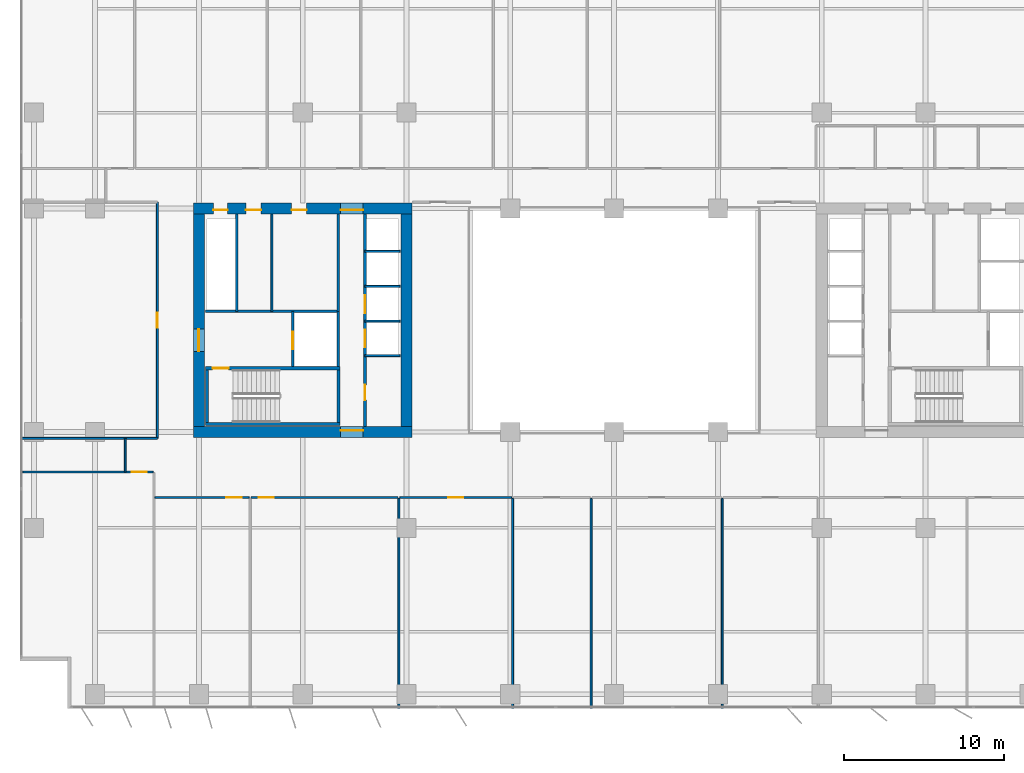
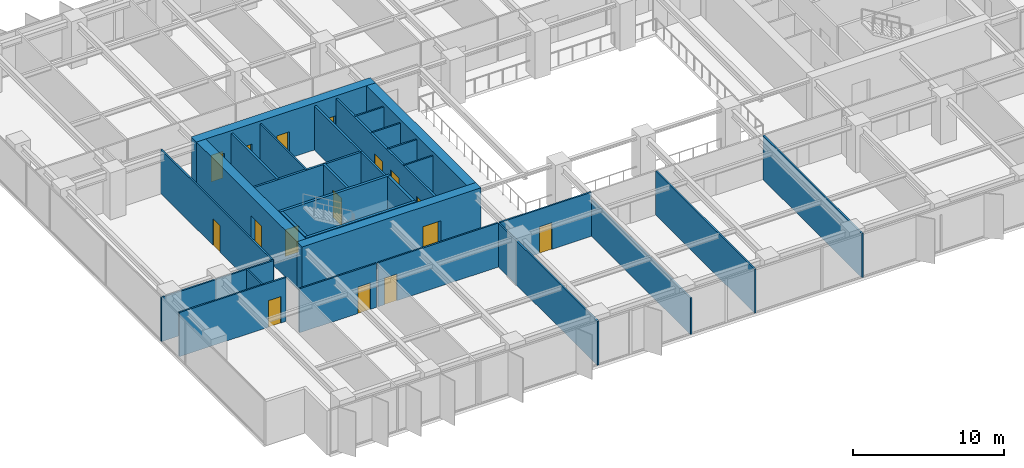
# One storey, part 13 of 20: 30 walls, 16 doors, 16 openings.
"""IFC4 building model written with IfcOpenShell, lengths in metres."""

from ifc_helpers import new_model, si_unit, direction, frame, frame_2d, origin, place, context, subcontext, project, spatial, rectangle, extrude, material, layer, layer_set, type_object, element, fill, save


model = new_model("IFC4")

# Units and contexts
model_context = context("Model", 3, precision=1e-05, world=origin(), true_north=direction((0.0, 1.0)))
body_context = subcontext(model_context, "Body", "Model", "MODEL_VIEW")
ifc_project = project(units=[si_unit("LENGTHUNIT", "METRE"), si_unit("AREAUNIT", "SQUARE_METRE"), si_unit("VOLUMEUNIT", "CUBIC_METRE"), si_unit("PLANEANGLEUNIT", "RADIAN"), si_unit("MASSUNIT", "GRAM", prefix="KILO")], contexts=[model_context])

# Site, building, storey
site_placement = place(None, origin())
site = spatial("IfcSite", under=ifc_project, at=site_placement, CompositionType="ELEMENT")
building_placement = place(site_placement, origin())
building = spatial("IfcBuilding", under=site, at=building_placement, Name="Putna Gate Headquarters", CompositionType="ELEMENT")
storey_placement = place(building_placement, frame((0.0, 0.0, 131.60009765625)))
storey = spatial("IfcBuildingStorey", under=building, at=storey_placement, Name="L32", CompositionType="ELEMENT", Elevation=131.60009765625)

# Wall, opening, door
ifc_material_1 = material(Name="Concrete C60/75", Category="concrete")
ifc_layer_1 = layer(ifc_material_1, 0.699951171875)
ifc_layer_set_1 = layer_set([ifc_layer_1], Name="Concrete C60/75")
wall_type_1 = type_object("IfcWallType", Name="WALL-CORE-700", PredefinedType="SHEAR", material=ifc_layer_set_1)
wall_1_placement = place(storey_placement, frame((12.64990234375, 19.0, 0.0), z_axis=(0.0, 0.0, 1.0), x_axis=(1.0, 0.0, 0.0)))
wall_1 = element("IfcWall", 1, at=wall_1_placement, inside=storey, type_object=wall_type_1, Name="L32 WC Split Core Shear Wall S", PredefinedType="SHEAR", context=body_context, shape_type="SweptSolid", body=[
    extrude(rectangle(XDim=13.7001953125, YDim=0.699951171875, at=frame_2d((6.85009765625, 0.0))), origin(), (0.0, 0.0, 1.0), 3.7998046875),
])
opening_1_placement = place(wall_1_placement, frame((9.22998046875, 0.0, 0.0)))
opening_1 = element("IfcOpeningElement", 2, at=opening_1_placement, cuts=wall_1, Name="Opening FDD-140", PredefinedType="OPENING", context=body_context, shape_type="SweptSolid", body=[
    extrude(rectangle(XDim=1.39990234375, YDim=2.199951171875, at=frame_2d((0.699951171875, 1.10009765625))), frame((0.0, 0.35986328125, 0.0), z_axis=(0.0, -1.0, 0.0), x_axis=(1.0, 0.0, 0.0)), (0.0, 0.0, 1.0), 0.719970703125),
])
ifc_material_2 = material(Name="Double steel fire door", Category="steel")
door_type_1 = type_object("IfcDoorType", Name="DOOR-FIRE-DBL-1400", OperationType="DOUBLE_DOOR_SINGLE_SWING", PredefinedType="DOOR", material=ifc_material_2)
door_1_placement = place(opening_1_placement, origin())
door_1 = element("IfcDoor", 3, at=door_1_placement, inside=storey, type_object=door_type_1, Name="L32 West Lift Lobby South Door", OperationType="DOUBLE_DOOR_SINGLE_SWING", OverallHeight=2.199951171875, OverallWidth=1.39990234375, PredefinedType="DOOR", context=body_context, shape_type="SweptSolid", body=[
    extrude(rectangle(XDim=1.39990234375, YDim=2.199951171875, at=frame_2d((0.699951171875, 1.10009765625))), frame((0.0, 0.125, 0.0), z_axis=(0.0, -1.0, 0.0), x_axis=(1.0, 0.0, 0.0)), (0.0, 0.0, 1.0), 0.050048828125),
])
fill(opening_1, door_1)

# Wall, openings, doors
wall_2_placement = place(storey_placement, frame((12.64990234375, 33.0, 0.0), z_axis=(0.0, 0.0, 1.0), x_axis=(1.0, 0.0, 0.0)))
wall_2 = element("IfcWall", 4, at=wall_2_placement, inside=storey, type_object=wall_type_1, Name="L32 WC Split Core Shear Wall N", PredefinedType="SHEAR", context=body_context, shape_type="SweptSolid", body=[
    extrude(rectangle(XDim=13.7001953125, YDim=0.699951171875, at=frame_2d((6.85009765625, 0.0))), origin(), (0.0, 0.0, 1.0), 3.7998046875),
])
opening_2_placement = place(wall_2_placement, frame((1.25, 0.0, 0.0)))
opening_2 = element("IfcOpeningElement", 5, at=opening_2_placement, cuts=wall_2, Name="Opening RD-90", PredefinedType="OPENING", context=body_context, shape_type="SweptSolid", body=[
    extrude(rectangle(XDim=0.89990234375, YDim=2.14990234375, at=frame_2d((0.449951171875, 1.074951171875))), frame((0.0, 0.35986328125, 0.0), z_axis=(0.0, -1.0, 0.0), x_axis=(1.0, 0.0, 0.0)), (0.0, 0.0, 1.0), 0.719970703125),
])
opening_3_placement = place(wall_2_placement, frame((3.300048828125, 0.0, 0.0)))
opening_3 = element("IfcOpeningElement", 6, at=opening_3_placement, cuts=wall_2, Name="Opening IDS-95", PredefinedType="OPENING", context=body_context, shape_type="SweptSolid", body=[
    extrude(rectangle(XDim=0.949951171875, YDim=2.14990234375, at=frame_2d((0.47509765625, 1.074951171875))), frame((0.0, 0.35986328125, 0.0), z_axis=(0.0, -1.0, 0.0), x_axis=(1.0, 0.0, 0.0)), (0.0, 0.0, 1.0), 0.719970703125),
])
opening_4_placement = place(wall_2_placement, frame((6.14990234375, 0.0, 0.0)))
opening_4 = element("IfcOpeningElement", 7, at=opening_4_placement, cuts=wall_2, Name="Opening IDS-95", PredefinedType="OPENING", context=body_context, shape_type="SweptSolid", body=[
    extrude(rectangle(XDim=0.949951171875, YDim=2.14990234375, at=frame_2d((0.47509765625, 1.074951171875))), frame((0.0, 0.35986328125, 0.0), z_axis=(0.0, -1.0, 0.0), x_axis=(1.0, 0.0, 0.0)), (0.0, 0.0, 1.0), 0.719970703125),
])
opening_5_placement = place(wall_2_placement, frame((9.22998046875, 0.0, 0.0)))
opening_5 = element("IfcOpeningElement", 8, at=opening_5_placement, cuts=wall_2, Name="Opening FDD-140", PredefinedType="OPENING", context=body_context, shape_type="SweptSolid", body=[
    extrude(rectangle(XDim=1.39990234375, YDim=2.199951171875, at=frame_2d((0.699951171875, 1.10009765625))), frame((0.0, 0.35986328125, 0.0), z_axis=(0.0, -1.0, 0.0), x_axis=(1.0, 0.0, 0.0)), (0.0, 0.0, 1.0), 0.719970703125),
])
door_2_placement = place(opening_5_placement, origin())
door_2 = element("IfcDoor", 9, at=door_2_placement, inside=storey, type_object=door_type_1, Name="L32 West Lift Lobby North Door", OperationType="DOUBLE_DOOR_SINGLE_SWING", OverallHeight=2.199951171875, OverallWidth=1.39990234375, PredefinedType="DOOR", context=body_context, shape_type="SweptSolid", body=[
    extrude(rectangle(XDim=1.39990234375, YDim=2.199951171875, at=frame_2d((0.699951171875, 1.10009765625))), frame((0.0, -0.0751953125, 0.0), z_axis=(0.0, -1.0, 0.0), x_axis=(1.0, 0.0, 0.0)), (0.0, 0.0, 1.0), 0.050048828125),
])
fill(opening_5, door_2)
ifc_material_3 = material(Name="Fire-rated service timber door", Category="wood")
door_type_2 = type_object("IfcDoorType", Name="DOOR-INT-950", OperationType="NOTDEFINED", PredefinedType="DOOR", material=ifc_material_3)
door_3_placement = place(opening_3_placement, origin())
door_3 = element("IfcDoor", 10, at=door_3_placement, inside=storey, type_object=door_type_2, Name="L32 Archive Store Door", OperationType="SINGLE_SWING_LEFT", OverallHeight=2.14990234375, OverallWidth=0.949951171875, PredefinedType="DOOR", context=body_context, shape_type="SweptSolid", body=[
    extrude(rectangle(XDim=0.949951171875, YDim=2.14990234375, at=frame_2d((0.47509765625, 1.074951171875))), frame((0.0, -0.0751953125, 0.0), z_axis=(0.0, -1.0, 0.0), x_axis=(1.0, 0.0, 0.0)), (0.0, 0.0, 1.0), 0.050048828125),
])
fill(opening_3, door_3)
door_4_placement = place(opening_4_placement, origin())
door_4 = element("IfcDoor", 11, at=door_4_placement, inside=storey, type_object=door_type_2, Name="L32 Switchgear Plant Door", OperationType="SINGLE_SWING_RIGHT", OverallHeight=2.14990234375, OverallWidth=0.949951171875, PredefinedType="DOOR", context=body_context, shape_type="SweptSolid", body=[
    extrude(rectangle(XDim=0.949951171875, YDim=2.14990234375, at=frame_2d((0.47509765625, 1.074951171875))), frame((0.0, -0.0751953125, 0.0), z_axis=(0.0, -1.0, 0.0), x_axis=(1.0, 0.0, 0.0)), (0.0, 0.0, 1.0), 0.050048828125),
])
fill(opening_4, door_4)
ifc_material_4 = material(Name="Steel riser access fire door", Category="steel")
door_type_3 = type_object("IfcDoorType", Name="DOOR-RISER-900", OperationType="NOTDEFINED", PredefinedType="DOOR", material=ifc_material_4)
door_5_placement = place(opening_2_placement, origin())
door_5 = element("IfcDoor", 12, at=door_5_placement, inside=storey, type_object=door_type_3, Name="L32 West Riser Access Door", OperationType="SINGLE_SWING_RIGHT", OverallHeight=2.14990234375, OverallWidth=0.89990234375, PredefinedType="DOOR", context=body_context, shape_type="SweptSolid", body=[
    extrude(rectangle(XDim=0.89990234375, YDim=2.14990234375, at=frame_2d((0.449951171875, 1.074951171875))), frame((0.0, -0.0751953125, 0.0), z_axis=(0.0, -1.0, 0.0), x_axis=(1.0, 0.0, 0.0)), (0.0, 0.0, 1.0), 0.050048828125),
])
fill(opening_2, door_5)

# Wall, opening, door
wall_3_placement = place(storey_placement, frame((13.0, 19.35009765625, 0.0), z_axis=(0.0, 0.0, 1.0), x_axis=(0.0, 1.0, 0.0)))
wall_3 = element("IfcWall", 13, at=wall_3_placement, inside=storey, type_object=wall_type_1, Name="L32 WC Split Core Shear Wall W", PredefinedType="SHEAR", context=body_context, shape_type="SweptSolid", body=[
    extrude(rectangle(XDim=13.2998046875, YDim=0.699951171875, at=frame_2d((6.64990234375, 0.0))), origin(), (0.0, 0.0, 1.0), 3.7998046875),
])
opening_6_placement = place(wall_3_placement, frame((4.699951171875, 0.0, 0.0)))
opening_6 = element("IfcOpeningElement", 14, at=opening_6_placement, cuts=wall_3, Name="Opening FDD-140", PredefinedType="OPENING", context=body_context, shape_type="SweptSolid", body=[
    extrude(rectangle(XDim=1.39990234375, YDim=2.199951171875, at=frame_2d((0.699951171875, 1.10009765625))), frame((0.0, 0.35986328125, 0.0), z_axis=(0.0, -1.0, 0.0), x_axis=(1.0, 0.0, 0.0)), (0.0, 0.0, 1.0), 0.719970703125),
])
door_6_placement = place(opening_6_placement, origin())
door_6 = element("IfcDoor", 15, at=door_6_placement, inside=storey, type_object=door_type_1, Name="L32 West Firefighting Lobby Door", OperationType="DOUBLE_DOOR_SINGLE_SWING", OverallHeight=2.199951171875, OverallWidth=1.39990234375, PredefinedType="DOOR", context=body_context, shape_type="SweptSolid", body=[
    extrude(rectangle(XDim=1.39990234375, YDim=2.199951171875, at=frame_2d((0.699951171875, 1.10009765625))), frame((0.0, 0.02490234375, 0.0), z_axis=(0.0, -1.0, 0.0), x_axis=(1.0, 0.0, 0.0)), (0.0, 0.0, 1.0), 0.050048828125),
])
fill(opening_6, door_6)

# Walls
wall_4_placement = place(storey_placement, frame((26.0, 19.35009765625, 0.0), z_axis=(0.0, 0.0, 1.0), x_axis=(0.0, 1.0, 0.0)))
element("IfcWall", 16, at=wall_4_placement, inside=storey, type_object=wall_type_1, Name="L32 WC Split Core Shear Wall E", PredefinedType="SHEAR", context=body_context, shape_type="SweptSolid", body=[
    extrude(rectangle(XDim=13.2998046875, YDim=0.699951171875, at=frame_2d((6.64990234375, 0.0))), origin(), (0.0, 0.0, 1.0), 3.7998046875),
])
ifc_material_5 = material(Name="Acoustic gypsum board on metal stud")
ifc_layer_2 = layer(ifc_material_5, 0.1201171875)
ifc_layer_set_2 = layer_set([ifc_layer_2], Name="Acoustic gypsum board on metal stud")
wall_type_2 = type_object("IfcWallType", Name="WALL-PART-120", PredefinedType="PARTITIONING", material=ifc_layer_set_2)
wall_5_placement = place(storey_placement, frame((25.524658203125, 1.719970703125, 0.0), z_axis=(0.0, 0.0, 1.0), x_axis=(0.0, 1.0, 0.0)))
element("IfcWall", 17, at=wall_5_placement, inside=storey, type_object=wall_type_2, Name="L32 Interior Wall PART-L32-SB-DIV-03", PredefinedType="PARTITIONING", context=body_context, shape_type="SweptSolid", body=[
    extrude(rectangle(XDim=13.1201171875, YDim=0.1201171875, at=frame_2d((6.56005859375, 0.0))), origin(), (0.0, 0.0, 1.0), 3.56494140625),
])
wall_6_placement = place(storey_placement, frame((32.639892578125, 1.719970703125, 0.0), z_axis=(0.0, 0.0, 1.0), x_axis=(0.0, 1.0, 0.0)))
element("IfcWall", 18, at=wall_6_placement, inside=storey, type_object=wall_type_2, Name="L32 Interior Wall PART-L32-SB-DIV-04", PredefinedType="PARTITIONING", context=body_context, shape_type="SweptSolid", body=[
    extrude(rectangle(XDim=13.1201171875, YDim=0.1201171875, at=frame_2d((6.56005859375, 0.0))), origin(), (0.0, 0.0, 1.0), 2.96484375),
])
for number, where, z_axis, x_axis, name in (
    (19, (37.55615234375, 1.719970703125, 0.0), (0.0, 0.0, 1.0), (0.0, 1.0, 0.0), "L32 Interior Wall PART-L32-SB-DIV-05"),
    (20, (45.767333984375, 1.719970703125, 0.0), (0.0, 0.0, 1.0), (0.0, 1.0, 0.0), "L32 Interior Wall PART-L32-SB-DIV-06"),
):
    element("IfcWall", number, at=place(storey_placement, frame(where, z_axis=z_axis, x_axis=x_axis)), inside=storey, type_object=wall_type_2, Name=name, PredefinedType="PARTITIONING", context=body_context, shape_type="SweptSolid", body=[
        extrude(rectangle(XDim=13.1201171875, YDim=0.1201171875, at=frame_2d((6.56005859375, 0.0))), origin(), (0.0, 0.0, 1.0), 3.56494140625),
    ])
ifc_material_6 = material(Name="Fire-rated shaftwall gypsum board on metal stud")
ifc_layer_3 = layer(ifc_material_6, 0.1201171875)
ifc_layer_set_3 = layer_set([ifc_layer_3], Name="Fire-rated shaftwall gypsum board on metal stud")
wall_type_3 = type_object("IfcWallType", Name="WALL-PART-120-EI120", PredefinedType="PARTITIONING", material=ifc_layer_set_3)
for number, where, z_axis, x_axis, name in (
    (21, (23.39990234375, 25.949951171875, 0.0), (0.0, 0.0, 1.0), (1.0, 0.0, 0.0), "L32 Interior Wall CWINT-L32-WC-LF05-DIV"),
    (22, (23.39990234375, 28.1201171875, 0.0), (0.0, 0.0, 1.0), (1.0, 0.0, 0.0), "L32 Interior Wall CWINT-L32-WC-LF06-DIV"),
    (23, (23.39990234375, 30.31005859375, 0.0), (0.0, 0.0, 1.0), (1.0, 0.0, 0.0), "L32 Interior Wall CWINT-L32-WC-LF09-DIV"),
):
    element("IfcWall", number, at=place(storey_placement, frame(where, z_axis=z_axis, x_axis=x_axis)), inside=storey, type_object=wall_type_3, Name=name, PredefinedType="PARTITIONING", context=body_context, shape_type="SweptSolid", body=[
        extrude(rectangle(XDim=2.2001953125, YDim=0.1201171875, at=frame_2d((1.10009765625, 0.0))), origin(), (0.0, 0.0, 1.0), 3.56494140625),
    ])
ifc_material_7 = material(Name="Fire-rated gypsum board on metal stud")
ifc_layer_4 = layer(ifc_material_7, 0.1201171875)
ifc_layer_set_4 = layer_set([ifc_layer_4], Name="Fire-rated gypsum board on metal stud")
wall_type_4 = type_object("IfcWallType", Name="WALL-PART-120-RATED", PredefinedType="PARTITIONING", material=ifc_layer_set_4)
wall_7_placement = place(storey_placement, frame((17.570068359375, 26.56005859375, 0.0), z_axis=(0.0, 0.0, 1.0), x_axis=(0.0, 1.0, 0.0)))
element("IfcWall", 24, at=wall_7_placement, inside=storey, type_object=wall_type_4, Name="L32 Interior Wall CWINT-L32-WC-K1-DIV", PredefinedType="PARTITIONING", context=body_context, shape_type="SweptSolid", body=[
    extrude(rectangle(XDim=6.08984375, YDim=0.1201171875, at=frame_2d((3.044921875, 0.0))), origin(), (0.0, 0.0, 1.0), 3.56494140625),
])
wall_8_placement = place(storey_placement, frame((23.39990234375, 23.780029296875, 0.0), z_axis=(0.0, 0.0, 1.0), x_axis=(1.0, 0.0, 0.0)))
element("IfcWall", 25, at=wall_8_placement, inside=storey, type_object=wall_type_4, Name="L32 Interior Wall CWINT-L32-WC-LF02-DIV", PredefinedType="PARTITIONING", context=body_context, shape_type="SweptSolid", body=[
    extrude(rectangle(XDim=2.2001953125, YDim=0.1201171875, at=frame_2d((1.10009765625, 0.0))), origin(), (0.0, 0.0, 1.0), 3.56494140625),
])
wall_9_placement = place(storey_placement, frame((8.39111328125, 16.5, 0.0), z_axis=(0.0, 0.0, 1.0), x_axis=(0.0, 1.0, 0.0)))
element("IfcWall", 26, at=wall_9_placement, inside=storey, type_object=wall_type_4, Name="L32 Interior Wall PART-L32-CORRS-CAPW", PredefinedType="PARTITIONING", context=body_context, shape_type="SweptSolid", body=[
    extrude(rectangle(XDim=2.10009765625, YDim=0.1201171875, at=frame_2d((1.050048828125, 0.0))), origin(), (0.0, 0.0, 1.0), 3.56494140625),
])

# Wall, opening, door
wall_10_placement = place(storey_placement, frame((1.97998046875, 16.5, 0.0), z_axis=(0.0, 0.0, 1.0), x_axis=(1.0, 0.0, 0.0)))
wall_10 = element("IfcWall", 27, at=wall_10_placement, inside=storey, type_object=wall_type_4, Name="L32 Interior Wall PART-L32-SB-CW-01", PredefinedType="PARTITIONING", context=body_context, shape_type="SweptSolid", body=[
    extrude(rectangle(XDim=8.151123046875, YDim=0.1201171875, at=frame_2d((4.07568359375, 0.0))), origin(), (0.0, 0.0, 1.0), 3.56494140625),
])
opening_7_placement = place(wall_10_placement, frame((6.805908203125, 0.0, 0.0)))
opening_7 = element("IfcOpeningElement", 28, at=opening_7_placement, cuts=wall_10, Name="Opening FD-95", PredefinedType="OPENING", context=body_context, shape_type="SweptSolid", body=[
    extrude(rectangle(XDim=0.949951171875, YDim=2.14990234375, at=frame_2d((0.47509765625, 1.074951171875))), frame((0.0, 0.070068359375, 0.0), z_axis=(0.0, -1.0, 0.0), x_axis=(1.0, 0.0, 0.0)), (0.0, 0.0, 1.0), 0.14013671875),
])
ifc_material_8 = material(Name="Acoustic timber fire door", Category="wood")
door_type_4 = type_object("IfcDoorType", Name="DOOR-FIRE-950", OperationType="NOTDEFINED", PredefinedType="DOOR", material=ifc_material_8)
door_7_placement = place(opening_7_placement, origin())
door_7 = element("IfcDoor", 29, at=door_7_placement, inside=storey, type_object=door_type_4, Name="L32 Collaborative Breakout Lounge 2 Door", OperationType="SINGLE_SWING_LEFT", OverallHeight=2.14990234375, OverallWidth=0.949951171875, PredefinedType="DOOR", context=body_context, shape_type="SweptSolid", body=[
    extrude(rectangle(XDim=0.949951171875, YDim=2.14990234375, at=frame_2d((0.47509765625, 1.074951171875))), frame((0.0, 0.02490234375, 0.0), z_axis=(0.0, -1.0, 0.0), x_axis=(1.0, 0.0, 0.0)), (0.0, 0.0, 1.0), 0.050048828125),
])
fill(opening_7, door_7)

wall_11_placement = place(storey_placement, frame((10.2509765625, 14.89990234375, 0.0), z_axis=(0.0, 0.0, 1.0), x_axis=(1.0, 0.0, 0.0)))
wall_11 = element("IfcWall", 30, at=wall_11_placement, inside=storey, type_object=wall_type_4, Name="L32 Interior Wall PART-L32-SB-CW-02", PredefinedType="PARTITIONING", context=body_context, shape_type="SweptSolid", body=[
    extrude(rectangle(XDim=5.8994140625, YDim=0.1201171875, at=frame_2d((2.94970703125, 0.0))), origin(), (0.0, 0.0, 1.0), 3.56494140625),
])
opening_8_placement = place(wall_11_placement, frame((4.469482421875, 0.0, 0.0)))
opening_8 = element("IfcOpeningElement", 31, at=opening_8_placement, cuts=wall_11, Name="Opening FD-95", PredefinedType="OPENING", context=body_context, shape_type="SweptSolid", body=[
    extrude(rectangle(XDim=0.949951171875, YDim=2.14990234375, at=frame_2d((0.47509765625, 1.074951171875))), frame((0.0, 0.070068359375, 0.0), z_axis=(0.0, -1.0, 0.0), x_axis=(1.0, 0.0, 0.0)), (0.0, 0.0, 1.0), 0.14013671875),
])
door_8_placement = place(opening_8_placement, origin())
door_8 = element("IfcDoor", 32, at=door_8_placement, inside=storey, type_object=door_type_4, Name="L32 Cellular Office 3 Door", OperationType="SINGLE_SWING_RIGHT", OverallHeight=2.14990234375, OverallWidth=0.949951171875, PredefinedType="DOOR", context=body_context, shape_type="SweptSolid", body=[
    extrude(rectangle(XDim=0.949951171875, YDim=2.14990234375, at=frame_2d((0.47509765625, 1.074951171875))), frame((0.0, 0.02490234375, 0.0), z_axis=(0.0, -1.0, 0.0), x_axis=(1.0, 0.0, 0.0)), (0.0, 0.0, 1.0), 0.050048828125),
])
fill(opening_8, door_8)

wall_12_placement = place(storey_placement, frame((16.2705078125, 14.89990234375, 0.0), z_axis=(0.0, 0.0, 1.0), x_axis=(1.0, 0.0, 0.0)))
wall_12 = element("IfcWall", 33, at=wall_12_placement, inside=storey, type_object=wall_type_4, Name="L32 Interior Wall PART-L32-SB-CW-03", PredefinedType="PARTITIONING", context=body_context, shape_type="SweptSolid", body=[
    extrude(rectangle(XDim=9.194091796875, YDim=0.1201171875, at=frame_2d((4.59716796875, 0.0))), origin(), (0.0, 0.0, 1.0), 3.56494140625),
])
opening_9_placement = place(wall_12_placement, frame((0.47998046875, 0.0, 0.0)))
opening_9 = element("IfcOpeningElement", 34, at=opening_9_placement, cuts=wall_12, Name="Opening FD-95", PredefinedType="OPENING", context=body_context, shape_type="SweptSolid", body=[
    extrude(rectangle(XDim=0.949951171875, YDim=2.14990234375, at=frame_2d((0.47509765625, 1.074951171875))), frame((0.0, 0.070068359375, 0.0), z_axis=(0.0, -1.0, 0.0), x_axis=(1.0, 0.0, 0.0)), (0.0, 0.0, 1.0), 0.14013671875),
])
door_9_placement = place(opening_9_placement, origin())
door_9 = element("IfcDoor", 35, at=door_9_placement, inside=storey, type_object=door_type_4, Name="L32 Cellular Office 4 Door", OperationType="SINGLE_SWING_LEFT", OverallHeight=2.14990234375, OverallWidth=0.949951171875, PredefinedType="DOOR", context=body_context, shape_type="SweptSolid", body=[
    extrude(rectangle(XDim=0.949951171875, YDim=2.14990234375, at=frame_2d((0.47509765625, 1.074951171875))), frame((0.0, 0.02490234375, 0.0), z_axis=(0.0, -1.0, 0.0), x_axis=(1.0, 0.0, 0.0)), (0.0, 0.0, 1.0), 0.050048828125),
])
fill(opening_9, door_9)

wall_13_placement = place(storey_placement, frame((25.584716796875, 14.89990234375, 0.0), z_axis=(0.0, 0.0, 1.0), x_axis=(1.0, 0.0, 0.0)))
wall_13 = element("IfcWall", 36, at=wall_13_placement, inside=storey, type_object=wall_type_4, Name="L32 Interior Wall PART-L32-SB-CW-04", PredefinedType="PARTITIONING", context=body_context, shape_type="SweptSolid", body=[
    extrude(rectangle(XDim=6.995361328125, YDim=0.1201171875, at=frame_2d((3.49755859375, 0.0))), origin(), (0.0, 0.0, 1.0), 3.56494140625),
])
opening_10_placement = place(wall_13_placement, frame((3.022705078125, 0.0, 0.0)))
opening_10 = element("IfcOpeningElement", 37, at=opening_10_placement, cuts=wall_13, Name="Opening FD-95", PredefinedType="OPENING", context=body_context, shape_type="SweptSolid", body=[
    extrude(rectangle(XDim=0.949951171875, YDim=2.14990234375, at=frame_2d((0.47509765625, 1.074951171875))), frame((0.0, 0.070068359375, 0.0), z_axis=(0.0, -1.0, 0.0), x_axis=(1.0, 0.0, 0.0)), (0.0, 0.0, 1.0), 0.14013671875),
])
door_10_placement = place(opening_10_placement, origin())
door_10 = element("IfcDoor", 38, at=door_10_placement, inside=storey, type_object=door_type_4, Name="L32 Conference Meeting Room 1 Door", OperationType="SINGLE_SWING_RIGHT", OverallHeight=2.14990234375, OverallWidth=0.949951171875, PredefinedType="DOOR", context=body_context, shape_type="SweptSolid", body=[
    extrude(rectangle(XDim=0.949951171875, YDim=2.14990234375, at=frame_2d((0.47509765625, 1.074951171875))), frame((0.0, 0.02490234375, 0.0), z_axis=(0.0, -1.0, 0.0), x_axis=(1.0, 0.0, 0.0)), (0.0, 0.0, 1.0), 0.050048828125),
])
fill(opening_10, door_10)

# Wall
wall_14_placement = place(storey_placement, frame((1.820068359375, 18.60009765625, 0.0), z_axis=(0.0, 0.0, 1.0), x_axis=(1.0, 0.0, 0.0)))
element("IfcWall", 39, at=wall_14_placement, inside=storey, type_object=wall_type_4, Name="L32 Interior Wall PART-L32-WW-S-BOUND", PredefinedType="PARTITIONING", context=body_context, shape_type="SweptSolid", body=[
    extrude(rectangle(XDim=8.579833984375, YDim=0.1201171875, at=frame_2d((4.2900390625, 0.0))), origin(), (0.0, 0.0, 1.0), 3.56494140625),
])

# Wall, opening, door
wall_15_placement = place(storey_placement, frame((10.39990234375, 18.60009765625, 0.0), z_axis=(0.0, 0.0, 1.0), x_axis=(0.0, 1.0, 0.0)))
wall_15 = element("IfcWall", 40, at=wall_15_placement, inside=storey, type_object=wall_type_4, Name="L32 Interior Wall PART-L32-WW-CW-1", PredefinedType="PARTITIONING", context=body_context, shape_type="SweptSolid", body=[
    extrude(rectangle(XDim=14.7998046875, YDim=0.1201171875, at=frame_2d((7.39990234375, 0.0))), origin(), (0.0, 0.0, 1.0), 3.56494140625),
])
opening_11_placement = place(wall_15_placement, frame((6.925048828125, 0.0, 0.0)))
opening_11 = element("IfcOpeningElement", 41, at=opening_11_placement, cuts=wall_15, Name="Opening FD-95", PredefinedType="OPENING", context=body_context, shape_type="SweptSolid", body=[
    extrude(rectangle(XDim=0.949951171875, YDim=2.14990234375, at=frame_2d((0.47509765625, 1.074951171875))), frame((0.0, 0.070068359375, 0.0), z_axis=(0.0, -1.0, 0.0), x_axis=(1.0, 0.0, 0.0)), (0.0, 0.0, 1.0), 0.14013671875),
])
door_11_placement = place(opening_11_placement, origin())
door_11 = element("IfcDoor", 42, at=door_11_placement, inside=storey, type_object=door_type_4, Name="L32 West Project Meeting Room 1 Door", OperationType="SINGLE_SWING_LEFT", OverallHeight=2.14990234375, OverallWidth=0.949951171875, PredefinedType="DOOR", context=body_context, shape_type="SweptSolid", body=[
    extrude(rectangle(XDim=0.949951171875, YDim=2.14990234375, at=frame_2d((0.47509765625, 1.074951171875))), frame((0.0, 0.02490234375, 0.0), z_axis=(0.0, -1.0, 0.0), x_axis=(1.0, 0.0, 0.0)), (0.0, 0.0, 1.0), 0.050048828125),
])
fill(opening_11, door_11)

# Wall
ifc_material_9 = material(Name="Concrete C40/50", Category="concrete")
ifc_layer_5 = layer(ifc_material_9, 0.159912109375)
ifc_layer_set_5 = layer_set([ifc_layer_5], Name="Concrete C40/50")
wall_type_5 = type_object("IfcWallType", Name="WALL-SHAFT-160", PredefinedType="STANDARD", material=ifc_layer_set_5)
wall_16_placement = place(storey_placement, frame((21.739990234375, 23.090087890625, 0.0), z_axis=(0.0, 0.0, 1.0), x_axis=(0.0, 1.0, 0.0)))
element("IfcWall", 43, at=wall_16_placement, inside=storey, type_object=wall_type_5, Name="L32 Interior Wall CWINT-L32-WC-FFL-E", PredefinedType="STANDARD", context=body_context, shape_type="SweptSolid", body=[
    extrude(rectangle(XDim=3.469970703125, YDim=0.159912109375, at=frame_2d((1.73486328125, 0.0))), origin(), (0.0, 0.0, 1.0), 3.56494140625),
])

# Wall, opening, door
wall_17_placement = place(storey_placement, frame((18.8798828125, 23.090087890625, 0.0), z_axis=(0.0, 0.0, 1.0), x_axis=(0.0, 1.0, 0.0)))
wall_17 = element("IfcWall", 44, at=wall_17_placement, inside=storey, type_object=wall_type_5, Name="L32 Interior Wall CWINT-L32-WC-LF13-W", PredefinedType="STANDARD", context=body_context, shape_type="SweptSolid", body=[
    extrude(rectangle(XDim=3.469970703125, YDim=0.159912109375, at=frame_2d((1.73486328125, 0.0))), origin(), (0.0, 0.0, 1.0), 3.56494140625),
])
opening_12_placement = place(wall_17_placement, frame((1.10009765625, 0.0, 0.0)))
opening_12 = element("IfcOpeningElement", 45, at=opening_12_placement, cuts=wall_17, Name="Opening LD-1", PredefinedType="OPENING", context=body_context, shape_type="SweptSolid", body=[
    extrude(rectangle(XDim=1.10009765625, YDim=2.199951171875, at=frame_2d((0.550048828125, 1.10009765625))), frame((0.0, 0.08984375, 0.0), z_axis=(0.0, -1.0, 0.0), x_axis=(1.0, 0.0, 0.0)), (0.0, 0.0, 1.0), 0.179931640625),
])
ifc_material_10 = material(Name="Brushed bronze stainless lift landing door")
door_type_5 = type_object("IfcDoorType", Name="DOOR-LIFT-1100", OperationType="DOUBLE_DOOR_SLIDING", PredefinedType="DOOR", material=ifc_material_10)
door_12_placement = place(opening_12_placement, origin())
door_12 = element("IfcDoor", 46, at=door_12_placement, inside=storey, type_object=door_type_5, Name="L32 Lift Landing Door LD-13", OperationType="DOUBLE_DOOR_SLIDING", OverallHeight=2.199951171875, OverallWidth=1.10009765625, PredefinedType="DOOR", context=body_context, shape_type="SweptSolid", body=[
    extrude(rectangle(XDim=1.10009765625, YDim=2.199951171875, at=frame_2d((0.550048828125, 1.10009765625))), frame((0.0, 0.02490234375, 0.0), z_axis=(0.0, -1.0, 0.0), x_axis=(1.0, 0.0, 0.0)), (0.0, 0.0, 1.0), 0.050048828125),
])
fill(opening_12, door_12)

# Walls
wall_18_placement = place(storey_placement, frame((13.39990234375, 26.56005859375, 0.0), z_axis=(0.0, 0.0, 1.0), x_axis=(1.0, 0.0, 0.0)))
element("IfcWall", 47, at=wall_18_placement, inside=storey, type_object=wall_type_5, Name="L32 Interior Wall CWINT-L32-WC-FFL-N", PredefinedType="STANDARD", context=body_context, shape_type="SweptSolid", body=[
    extrude(rectangle(XDim=8.340087890625, YDim=0.159912109375, at=frame_2d((4.169921875, 0.0))), origin(), (0.0, 0.0, 1.0), 3.56494140625),
])
for number, where, z_axis, x_axis, name in (
    (48, (15.3798828125, 26.56005859375, 0.0), (0.0, 0.0, 1.0), (0.0, 1.0, 0.0), "L32 Interior Wall CWINT-L32-WC-RISER-E"),
    (49, (21.739990234375, 26.56005859375, 0.0), (0.0, 0.0, 1.0), (0.0, 1.0, 0.0), "L32 Interior Wall CWINT-L32-WC-LOB-W"),
):
    element("IfcWall", number, at=place(storey_placement, frame(where, z_axis=z_axis, x_axis=x_axis)), inside=storey, type_object=wall_type_5, Name=name, PredefinedType="STANDARD", context=body_context, shape_type="SweptSolid", body=[
        extrude(rectangle(XDim=6.08984375, YDim=0.159912109375, at=frame_2d((3.044921875, 0.0))), origin(), (0.0, 0.0, 1.0), 3.56494140625),
    ])

# Wall, openings, doors
wall_19_placement = place(storey_placement, frame((23.39990234375, 19.35009765625, 0.0), z_axis=(0.0, 0.0, 1.0), x_axis=(0.0, 1.0, 0.0)))
wall_19 = element("IfcWall", 50, at=wall_19_placement, inside=storey, type_object=wall_type_5, Name="L32 Interior Wall CWINT-L32-WC-PL-WALL", PredefinedType="STANDARD", context=body_context, shape_type="SweptSolid", body=[
    extrude(rectangle(XDim=13.2998046875, YDim=0.159912109375, at=frame_2d((6.64990234375, 0.0))), origin(), (0.0, 0.0, 1.0), 3.56494140625),
])
opening_13_placement = place(wall_19_placement, frame((1.64990234375, 0.0, 0.0)))
opening_13 = element("IfcOpeningElement", 51, at=opening_13_placement, cuts=wall_19, Name="Opening IDS-95", PredefinedType="OPENING", context=body_context, shape_type="SweptSolid", body=[
    extrude(rectangle(XDim=0.949951171875, YDim=2.14990234375, at=frame_2d((0.47509765625, 1.074951171875))), frame((0.0, 0.08984375, 0.0), z_axis=(0.0, -1.0, 0.0), x_axis=(1.0, 0.0, 0.0)), (0.0, 0.0, 1.0), 0.179931640625),
])
opening_14_placement = place(wall_19_placement, frame((4.949951171875, 0.0, 0.0)))
opening_14 = element("IfcOpeningElement", 52, at=opening_14_placement, cuts=wall_19, Name="Opening LD-1", PredefinedType="OPENING", context=body_context, shape_type="SweptSolid", body=[
    extrude(rectangle(XDim=1.10009765625, YDim=2.199951171875, at=frame_2d((0.550048828125, 1.10009765625))), frame((0.0, 0.08984375, 0.0), z_axis=(0.0, -1.0, 0.0), x_axis=(1.0, 0.0, 0.0)), (0.0, 0.0, 1.0), 0.179931640625),
])
opening_15_placement = place(wall_19_placement, frame((7.10009765625, 0.0, 0.0)))
opening_15 = element("IfcOpeningElement", 53, at=opening_15_placement, cuts=wall_19, Name="Opening LD-1", PredefinedType="OPENING", context=body_context, shape_type="SweptSolid", body=[
    extrude(rectangle(XDim=1.10009765625, YDim=2.199951171875, at=frame_2d((0.550048828125, 1.10009765625))), frame((0.0, 0.08984375, 0.0), z_axis=(0.0, -1.0, 0.0), x_axis=(1.0, 0.0, 0.0)), (0.0, 0.0, 1.0), 0.179931640625),
])
door_13_placement = place(opening_13_placement, origin())
door_13 = element("IfcDoor", 54, at=door_13_placement, inside=storey, type_object=door_type_2, Name="L32 Document Archive Door", OperationType="SINGLE_SWING_LEFT", OverallHeight=2.14990234375, OverallWidth=0.949951171875, PredefinedType="DOOR", context=body_context, shape_type="SweptSolid", body=[
    extrude(rectangle(XDim=0.949951171875, YDim=2.14990234375, at=frame_2d((0.47509765625, 1.074951171875))), frame((0.0, 0.02490234375, 0.0), z_axis=(0.0, -1.0, 0.0), x_axis=(1.0, 0.0, 0.0)), (0.0, 0.0, 1.0), 0.050048828125),
])
fill(opening_13, door_13)
door_14_placement = place(opening_14_placement, origin())
door_14 = element("IfcDoor", 55, at=door_14_placement, inside=storey, type_object=door_type_5, Name="L32 Lift Landing Door LD-05", OperationType="DOUBLE_DOOR_SLIDING", OverallHeight=2.199951171875, OverallWidth=1.10009765625, PredefinedType="DOOR", context=body_context, shape_type="SweptSolid", body=[
    extrude(rectangle(XDim=1.10009765625, YDim=2.199951171875, at=frame_2d((0.550048828125, 1.10009765625))), frame((0.0, 0.02490234375, 0.0), z_axis=(0.0, -1.0, 0.0), x_axis=(1.0, 0.0, 0.0)), (0.0, 0.0, 1.0), 0.050048828125),
])
fill(opening_14, door_14)
door_15_placement = place(opening_15_placement, origin())
door_15 = element("IfcDoor", 56, at=door_15_placement, inside=storey, type_object=door_type_5, Name="L32 Lift Landing Door LD-06", OperationType="DOUBLE_DOOR_SLIDING", OverallHeight=2.199951171875, OverallWidth=1.10009765625, PredefinedType="DOOR", context=body_context, shape_type="SweptSolid", body=[
    extrude(rectangle(XDim=1.10009765625, YDim=2.199951171875, at=frame_2d((0.550048828125, 1.10009765625))), frame((0.0, 0.02490234375, 0.0), z_axis=(0.0, -1.0, 0.0), x_axis=(1.0, 0.0, 0.0)), (0.0, 0.0, 1.0), 0.050048828125),
])
fill(opening_15, door_15)

# Wall
ifc_layer_6 = layer(ifc_material_9, 0.199951171875)
ifc_layer_set_6 = layer_set([ifc_layer_6], Name="Concrete C40/50")
wall_type_6 = type_object("IfcWallType", Name="WALL-SHAFT-RC200", PredefinedType="SHEAR", material=ifc_layer_set_6)
wall_20_placement = place(storey_placement, frame((13.409912109375, 19.510009765625, 0.0), z_axis=(0.0, 0.0, 1.0), x_axis=(1.0, 0.0, 0.0)))
element("IfcWall", 57, at=wall_20_placement, inside=storey, type_object=wall_type_6, Name="L32 Stair ST1 Structural Shaft Wall S", PredefinedType="SHEAR", context=body_context, shape_type="SweptSolid", body=[
    extrude(rectangle(XDim=8.43017578125, YDim=0.199951171875, at=frame_2d((4.215087890625, 0.0))), origin(), (0.0, 0.0, 1.0), 3.7998046875),
])

# Wall, opening, door
wall_21_placement = place(storey_placement, frame((13.409912109375, 22.989990234375, 0.0), z_axis=(0.0, 0.0, 1.0), x_axis=(1.0, 0.0, 0.0)))
wall_21 = element("IfcWall", 58, at=wall_21_placement, inside=storey, type_object=wall_type_6, Name="L32 Stair ST1 Structural Shaft Wall N", PredefinedType="SHEAR", context=body_context, shape_type="SweptSolid", body=[
    extrude(rectangle(XDim=8.43017578125, YDim=0.199951171875, at=frame_2d((4.215087890625, 0.0))), origin(), (0.0, 0.0, 1.0), 3.7998046875),
])
opening_16_placement = place(wall_21_placement, frame((0.449951171875, 0.0, 0.0)))
opening_16 = element("IfcOpeningElement", 59, at=opening_16_placement, cuts=wall_21, Name="Opening FD-100", PredefinedType="OPENING", context=body_context, shape_type="SweptSolid", body=[
    extrude(rectangle(XDim=1.0, YDim=2.14990234375, at=frame_2d((0.5, 1.074951171875))), frame((0.0, 0.10986328125, 0.0), z_axis=(0.0, -1.0, 0.0), x_axis=(1.0, 0.0, 0.0)), (0.0, 0.0, 1.0), 0.219970703125),
])
ifc_material_11 = material(Name="Powder-coated steel fire door", Category="steel")
door_type_6 = type_object("IfcDoorType", Name="DOOR-FIRE-1000", OperationType="NOTDEFINED", PredefinedType="DOOR", material=ifc_material_11)
door_16_placement = place(opening_16_placement, origin())
door_16 = element("IfcDoor", 60, at=door_16_placement, inside=storey, type_object=door_type_6, Name="L32 Stair ST1 Fire Door", OperationType="SINGLE_SWING_LEFT", OverallHeight=2.14990234375, OverallWidth=1.0, PredefinedType="DOOR", context=body_context, shape_type="SweptSolid", body=[
    extrude(rectangle(XDim=1.0, YDim=2.14990234375, at=frame_2d((0.5, 1.074951171875))), frame((0.0, 0.02490234375, 0.0), z_axis=(0.0, -1.0, 0.0), x_axis=(1.0, 0.0, 0.0)), (0.0, 0.0, 1.0), 0.050048828125),
])
fill(opening_16, door_16)

# Walls
for number, where, z_axis, x_axis, name in (
    (61, (13.510009765625, 19.610107421875, 0.0), (0.0, 0.0, 1.0), (0.0, 1.0, 0.0), "L32 Stair ST1 Structural Shaft Wall W"),
    (62, (21.739990234375, 19.610107421875, 0.0), (0.0, 0.0, 1.0), (0.0, 1.0, 0.0), "L32 Stair ST1 Structural Shaft Wall E"),
):
    element("IfcWall", number, at=place(storey_placement, frame(where, z_axis=z_axis, x_axis=x_axis)), inside=storey, type_object=wall_type_6, Name=name, PredefinedType="SHEAR", context=body_context, shape_type="SweptSolid", body=[
        extrude(rectangle(XDim=3.27978515625, YDim=0.199951171875, at=frame_2d((1.639892578125, 0.0))), origin(), (0.0, 0.0, 1.0), 3.7998046875),
    ])

save(model, "model.ifc")
